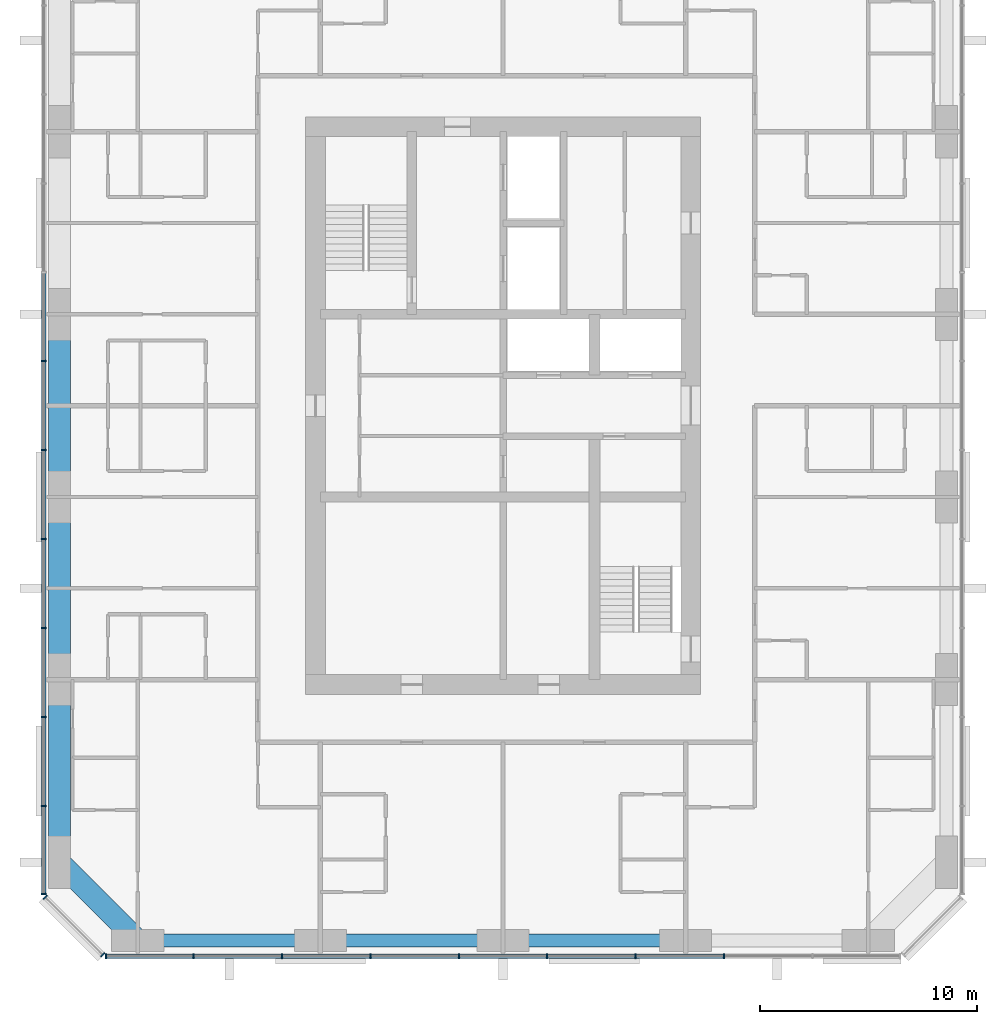
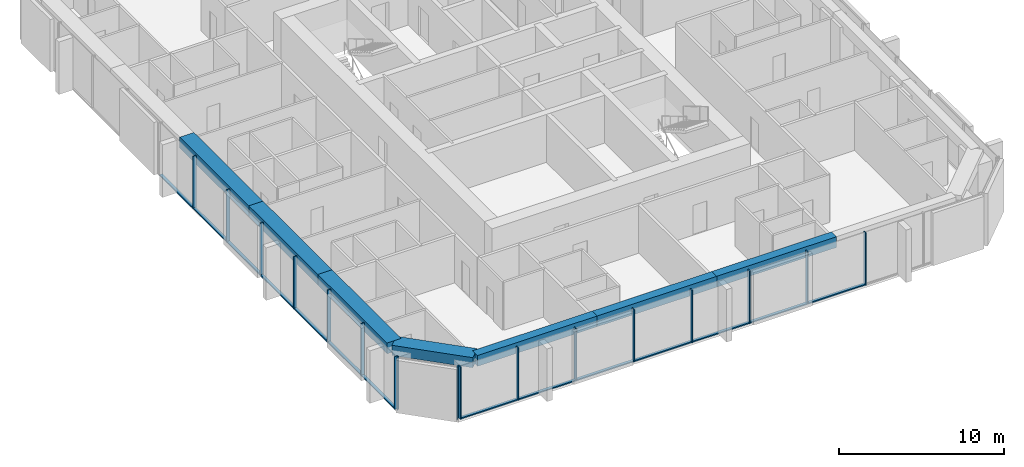
# One storey, part 2 of 12: 31 members, 7 beams, 3 elements without a shape of their own.
"""IFC4 building model written with IfcOpenShell, lengths in metres."""

from ifc_helpers import new_model, si_unit, direction, frame, origin, origin_2d, place, context, subcontext, project, spatial, rectangle, extrude, material, material_profile, profile_set, type_object, element, aggregate, save


model = new_model("IFC4")

# Units and contexts
model_context = context("Model", 3, precision=1e-05, world=origin(), true_north=direction((0.0, 1.0)))
body_context = subcontext(model_context, "Body", "Model", "MODEL_VIEW")
ifc_project = project(units=[si_unit("LENGTHUNIT", "METRE"), si_unit("AREAUNIT", "SQUARE_METRE"), si_unit("VOLUMEUNIT", "CUBIC_METRE"), si_unit("PLANEANGLEUNIT", "RADIAN"), si_unit("MASSUNIT", "GRAM", prefix="KILO")], contexts=[model_context])

# Site, building, storey
site_placement = place(None, origin())
site = spatial("IfcSite", under=ifc_project, at=site_placement, CompositionType="ELEMENT")
building_placement = place(site_placement, origin())
building = spatial("IfcBuilding", under=site, at=building_placement, Name="Dunama Terrace Hotel", CompositionType="ELEMENT")
storey_placement = place(building_placement, frame((0.0, 0.0, 237.300048828125)))
storey = spatial("IfcBuildingStorey", under=building, at=storey_placement, Name="L61", CompositionType="ELEMENT", Elevation=237.300048828125)

# Curtain wall, members
ifc_material_1 = material(Name="Aluminium curtain wall system", Category="aluminium")
curtain_wall_type = type_object("IfcCurtainWallType", Name="Unitised fritted glass wall CW-D", PredefinedType="NOTDEFINED", material=ifc_material_1)
curtain_wall_1_placement = place(storey_placement, origin())
curtain_wall_1 = element("IfcCurtainWall", 1, at=curtain_wall_1_placement, inside=storey, type_object=curtain_wall_type, Name="Unitised fritted glass wall CW-D L61", PredefinedType="NOTDEFINED")
ifc_material_2 = material(Name="Aluminium mullion", Category="aluminium")
ifc_material_profile_1 = material_profile(ifc_material_2, rectangle(XDim=0.070068359375, YDim=0.239990234375, at=origin_2d()), Name="CWD MULLION 70X240")
ifc_profile_set_1 = profile_set([ifc_material_profile_1], Name="Aluminium mullion")
member_type_1 = type_object("IfcMemberType", Name="CWD mullion 70x240", PredefinedType="MULLION", material=ifc_profile_set_1)
member_1_placement = place(storey_placement, frame((15.3349609375, 4.080078125, 0.0), z_axis=(0.0, 0.0, 1.0), x_axis=(1.0, 0.0, 0.0)))
member_1 = element("IfcMember", 2, at=member_1_placement, type_object=member_type_1, Name="CWD mullion", PredefinedType="MULLION", context=body_context, shape_type="SweptSolid", body=[
    extrude(rectangle(XDim=0.070068359375, YDim=0.239990234375, at=origin_2d()), origin(), (0.0, 0.0, 1.0), 3.89990234375),
])
member_2_placement = place(storey_placement, frame((19.366943359375, 4.080078125, 0.0), z_axis=(0.0, 0.0, 1.0), x_axis=(1.0, 0.0, 0.0)))
member_2 = element("IfcMember", 3, at=member_2_placement, type_object=member_type_1, Name="CWD mullion", PredefinedType="MULLION", context=body_context, shape_type="SweptSolid", body=[
    extrude(rectangle(XDim=0.070068359375, YDim=0.239990234375, at=origin_2d()), origin(), (0.0, 0.0, 1.0), 3.89990234375),
])
member_3_placement = place(storey_placement, frame((23.43310546875, 4.080078125, 0.0), z_axis=(0.0, 0.0, 1.0), x_axis=(1.0, 0.0, 0.0)))
member_3 = element("IfcMember", 4, at=member_3_placement, type_object=member_type_1, Name="CWD mullion", PredefinedType="MULLION", context=body_context, shape_type="SweptSolid", body=[
    extrude(rectangle(XDim=0.070068359375, YDim=0.239990234375, at=origin_2d()), origin(), (0.0, 0.0, 1.0), 3.89990234375),
])
member_4_placement = place(storey_placement, frame((27.5, 4.080078125, 0.0), z_axis=(0.0, 0.0, 1.0), x_axis=(1.0, 0.0, 0.0)))
member_4 = element("IfcMember", 5, at=member_4_placement, type_object=member_type_1, Name="CWD mullion", PredefinedType="MULLION", context=body_context, shape_type="SweptSolid", body=[
    extrude(rectangle(XDim=0.070068359375, YDim=0.239990234375, at=origin_2d()), origin(), (0.0, 0.0, 1.0), 3.89990234375),
])
member_5_placement = place(storey_placement, frame((31.56689453125, 4.080078125, 0.0), z_axis=(0.0, 0.0, 1.0), x_axis=(1.0, 0.0, 0.0)))
member_5 = element("IfcMember", 6, at=member_5_placement, type_object=member_type_1, Name="CWD mullion", PredefinedType="MULLION", context=body_context, shape_type="SweptSolid", body=[
    extrude(rectangle(XDim=0.070068359375, YDim=0.239990234375, at=origin_2d()), origin(), (0.0, 0.0, 1.0), 3.89990234375),
])
member_6_placement = place(storey_placement, frame((35.633056640625, 4.080078125, 0.0), z_axis=(0.0, 0.0, 1.0), x_axis=(1.0, 0.0, 0.0)))
member_6 = element("IfcMember", 7, at=member_6_placement, type_object=member_type_1, Name="CWD mullion", PredefinedType="MULLION", context=body_context, shape_type="SweptSolid", body=[
    extrude(rectangle(XDim=0.070068359375, YDim=0.239990234375, at=origin_2d()), origin(), (0.0, 0.0, 1.0), 3.89990234375),
])
member_7_placement = place(storey_placement, frame((39.699951171875, 4.080078125, 0.0), z_axis=(0.0, 0.0, 1.0), x_axis=(1.0, 0.0, 0.0)))
member_7 = element("IfcMember", 8, at=member_7_placement, type_object=member_type_1, Name="CWD mullion", PredefinedType="MULLION", context=body_context, shape_type="SweptSolid", body=[
    extrude(rectangle(XDim=0.070068359375, YDim=0.239990234375, at=origin_2d()), origin(), (0.0, 0.0, 1.0), 3.89990234375),
])
member_8_placement = place(storey_placement, frame((43.76708984375, 4.080078125, 0.0), z_axis=(0.0, 0.0, 1.0), x_axis=(1.0, 0.0, 0.0)))
member_8 = element("IfcMember", 9, at=member_8_placement, type_object=member_type_1, Name="CWD mullion", PredefinedType="MULLION", context=body_context, shape_type="SweptSolid", body=[
    extrude(rectangle(XDim=0.070068359375, YDim=0.239990234375, at=origin_2d()), origin(), (0.0, 0.0, 1.0), 3.89990234375),
])

curtain_wall_2_placement = place(storey_placement, origin())
curtain_wall_2 = element("IfcCurtainWall", 10, at=curtain_wall_2_placement, inside=storey, type_object=curtain_wall_type, Name="Unitised fritted glass wall CW-D L61", PredefinedType="NOTDEFINED")
member_9_placement = place(storey_placement, frame((12.47998046875, 31.445068359375, 0.0), z_axis=(0.0, 0.0, 1.0), x_axis=(0.0, -1.0, 0.0)))
member_9 = element("IfcMember", 11, at=member_9_placement, type_object=member_type_1, Name="CWD mullion", PredefinedType="MULLION", context=body_context, shape_type="SweptSolid", body=[
    extrude(rectangle(XDim=0.070068359375, YDim=0.239990234375, at=origin_2d()), origin(), (0.0, 0.0, 1.0), 3.89990234375),
])
member_10_placement = place(storey_placement, frame((12.47998046875, 27.35498046875, 0.0), z_axis=(0.0, 0.0, 1.0), x_axis=(0.0, -1.0, 0.0)))
member_10 = element("IfcMember", 12, at=member_10_placement, type_object=member_type_1, Name="CWD mullion", PredefinedType="MULLION", context=body_context, shape_type="SweptSolid", body=[
    extrude(rectangle(XDim=0.070068359375, YDim=0.239990234375, at=origin_2d()), origin(), (0.0, 0.0, 1.0), 3.89990234375),
])
member_11_placement = place(storey_placement, frame((12.47998046875, 23.263916015625, 0.0), z_axis=(0.0, 0.0, 1.0), x_axis=(0.0, -1.0, 0.0)))
member_11 = element("IfcMember", 13, at=member_11_placement, type_object=member_type_1, Name="CWD mullion", PredefinedType="MULLION", context=body_context, shape_type="SweptSolid", body=[
    extrude(rectangle(XDim=0.070068359375, YDim=0.239990234375, at=origin_2d()), origin(), (0.0, 0.0, 1.0), 3.89990234375),
])
member_12_placement = place(storey_placement, frame((12.47998046875, 19.173095703125, 0.0), z_axis=(0.0, 0.0, 1.0), x_axis=(0.0, -1.0, 0.0)))
member_12 = element("IfcMember", 14, at=member_12_placement, type_object=member_type_1, Name="CWD mullion", PredefinedType="MULLION", context=body_context, shape_type="SweptSolid", body=[
    extrude(rectangle(XDim=0.070068359375, YDim=0.239990234375, at=origin_2d()), origin(), (0.0, 0.0, 1.0), 3.89990234375),
])
member_13_placement = place(storey_placement, frame((12.47998046875, 15.08203125, 0.0), z_axis=(0.0, 0.0, 1.0), x_axis=(0.0, -1.0, 0.0)))
member_13 = element("IfcMember", 15, at=member_13_placement, type_object=member_type_1, Name="CWD mullion", PredefinedType="MULLION", context=body_context, shape_type="SweptSolid", body=[
    extrude(rectangle(XDim=0.070068359375, YDim=0.239990234375, at=origin_2d()), origin(), (0.0, 0.0, 1.0), 3.89990234375),
])
member_14_placement = place(storey_placement, frame((12.47998046875, 10.990966796875, 0.0), z_axis=(0.0, 0.0, 1.0), x_axis=(0.0, -1.0, 0.0)))
member_14 = element("IfcMember", 16, at=member_14_placement, type_object=member_type_1, Name="CWD mullion", PredefinedType="MULLION", context=body_context, shape_type="SweptSolid", body=[
    extrude(rectangle(XDim=0.070068359375, YDim=0.239990234375, at=origin_2d()), origin(), (0.0, 0.0, 1.0), 3.89990234375),
])
member_15_placement = place(storey_placement, frame((12.47998046875, 6.93505859375, 0.0), z_axis=(0.0, 0.0, 1.0), x_axis=(0.0, -1.0, 0.0)))
member_15 = element("IfcMember", 17, at=member_15_placement, type_object=member_type_1, Name="CWD mullion", PredefinedType="MULLION", context=body_context, shape_type="SweptSolid", body=[
    extrude(rectangle(XDim=0.070068359375, YDim=0.239990234375, at=origin_2d()), origin(), (0.0, 0.0, 1.0), 3.89990234375),
])

curtain_wall_3_placement = place(storey_placement, origin())
curtain_wall_3 = element("IfcCurtainWall", 18, at=curtain_wall_3_placement, inside=storey, type_object=curtain_wall_type, Name="Unitised fritted glass wall CW-D L61", PredefinedType="NOTDEFINED")
member_16_placement = place(storey_placement, frame((12.5400390625, 6.7900390625, 0.0), z_axis=(0.0, 0.0, 1.0), x_axis=(0.707106781187, -0.707106781187, 0.0)))
member_16 = element("IfcMember", 19, at=member_16_placement, type_object=member_type_1, Name="CWD mullion", PredefinedType="MULLION", context=body_context, shape_type="SweptSolid", body=[
    extrude(rectangle(XDim=0.070068359375, YDim=0.239990234375, at=origin_2d()), origin(), (0.0, 0.0, 1.0), 3.89990234375),
])
member_17_placement = place(storey_placement, frame((15.18994140625, 4.139892578125, 0.0), z_axis=(0.0, 0.0, 1.0), x_axis=(0.707106781187, -0.707106781187, 0.0)))
member_17 = element("IfcMember", 20, at=member_17_placement, type_object=member_type_1, Name="CWD mullion", PredefinedType="MULLION", context=body_context, shape_type="SweptSolid", body=[
    extrude(rectangle(XDim=0.070068359375, YDim=0.239990234375, at=origin_2d()), origin(), (0.0, 0.0, 1.0), 3.89990234375),
])
aggregate(curtain_wall_3, [member_16, member_17])

# Member
ifc_material_3 = material(Name="Aluminium transom", Category="aluminium")
ifc_material_profile_2 = material_profile(ifc_material_3, rectangle(XDim=0.199951171875, YDim=0.0849609375, at=origin_2d()), Name="CWD TRANSOM 200X85")
ifc_profile_set_2 = profile_set([ifc_material_profile_2], Name="Aluminium transom")
member_type_2 = type_object("IfcMemberType", Name="CWD transom 200x85", PredefinedType="USERDEFINED", material=ifc_profile_set_2)
member_18_placement = place(storey_placement, frame((15.3701171875, 4.080078125, 0.04248046875), z_axis=(1.0, 0.0, 0.0), x_axis=(0.0, 1.0, 0.0)))
member_18 = element("IfcMember", 21, at=member_18_placement, type_object=member_type_2, Name="CWD transom", ObjectType="TRANSOM", PredefinedType="USERDEFINED", context=body_context, shape_type="SweptSolid", body=[
    extrude(rectangle(XDim=0.199951171875, YDim=0.0849609375, at=origin_2d()), origin(), (0.0, 0.0, 1.0), 3.9619140625),
])

member_19_placement = place(storey_placement, frame((19.402099609375, 4.080078125, 0.04248046875), z_axis=(1.0, 0.0, 0.0), x_axis=(0.0, 1.0, 0.0)))
member_19 = element("IfcMember", 22, at=member_19_placement, type_object=member_type_2, Name="CWD transom", ObjectType="TRANSOM", PredefinedType="USERDEFINED", context=body_context, shape_type="SweptSolid", body=[
    extrude(rectangle(XDim=0.199951171875, YDim=0.0849609375, at=origin_2d()), origin(), (0.0, 0.0, 1.0), 3.995849609375),
])

member_20_placement = place(storey_placement, frame((23.468017578125, 4.080078125, 0.04248046875), z_axis=(1.0, 0.0, 0.0), x_axis=(0.0, 1.0, 0.0)))
member_20 = element("IfcMember", 23, at=member_20_placement, type_object=member_type_2, Name="CWD transom", ObjectType="TRANSOM", PredefinedType="USERDEFINED", context=body_context, shape_type="SweptSolid", body=[
    extrude(rectangle(XDim=0.199951171875, YDim=0.0849609375, at=origin_2d()), origin(), (0.0, 0.0, 1.0), 3.9970703125),
])

member_21_placement = place(storey_placement, frame((27.534912109375, 4.080078125, 0.04248046875), z_axis=(1.0, 0.0, 0.0), x_axis=(0.0, 1.0, 0.0)))
member_21 = element("IfcMember", 24, at=member_21_placement, type_object=member_type_2, Name="CWD transom", ObjectType="TRANSOM", PredefinedType="USERDEFINED", context=body_context, shape_type="SweptSolid", body=[
    extrude(rectangle(XDim=0.199951171875, YDim=0.0849609375, at=origin_2d()), origin(), (0.0, 0.0, 1.0), 3.9970703125),
])

member_22_placement = place(storey_placement, frame((31.60205078125, 4.080078125, 0.04248046875), z_axis=(1.0, 0.0, 0.0), x_axis=(0.0, 1.0, 0.0)))
member_22 = element("IfcMember", 25, at=member_22_placement, type_object=member_type_2, Name="CWD transom", ObjectType="TRANSOM", PredefinedType="USERDEFINED", context=body_context, shape_type="SweptSolid", body=[
    extrude(rectangle(XDim=0.199951171875, YDim=0.0849609375, at=origin_2d()), origin(), (0.0, 0.0, 1.0), 3.995849609375),
])

member_23_placement = place(storey_placement, frame((35.66796875, 4.080078125, 0.04248046875), z_axis=(1.0, 0.0, 0.0), x_axis=(0.0, 1.0, 0.0)))
member_23 = element("IfcMember", 26, at=member_23_placement, type_object=member_type_2, Name="CWD transom", ObjectType="TRANSOM", PredefinedType="USERDEFINED", context=body_context, shape_type="SweptSolid", body=[
    extrude(rectangle(XDim=0.199951171875, YDim=0.0849609375, at=origin_2d()), origin(), (0.0, 0.0, 1.0), 3.9970703125),
])

member_24_placement = place(storey_placement, frame((39.735107421875, 4.080078125, 0.04248046875), z_axis=(1.0, 0.0, 0.0), x_axis=(0.0, 1.0, 0.0)))
member_24 = element("IfcMember", 27, at=member_24_placement, type_object=member_type_2, Name="CWD transom", ObjectType="TRANSOM", PredefinedType="USERDEFINED", context=body_context, shape_type="SweptSolid", body=[
    extrude(rectangle(XDim=0.199951171875, YDim=0.0849609375, at=origin_2d()), origin(), (0.0, 0.0, 1.0), 3.996826171875),
])

aggregate(curtain_wall_1, [member_1, member_2, member_3, member_4, member_5, member_6, member_7, member_8, member_18, member_19, member_20, member_21, member_22, member_23, member_24])

member_25_placement = place(storey_placement, frame((12.47998046875, 35.5009765625, 0.04248046875), z_axis=(0.0, -1.0, 0.0), x_axis=(1.0, 0.0, 0.0)))
member_25 = element("IfcMember", 28, at=member_25_placement, type_object=member_type_2, Name="CWD transom", ObjectType="TRANSOM", PredefinedType="USERDEFINED", context=body_context, shape_type="SweptSolid", body=[
    extrude(rectangle(XDim=0.199951171875, YDim=0.0849609375, at=origin_2d()), origin(), (0.0, 0.0, 1.0), 4.02099609375),
])

member_26_placement = place(storey_placement, frame((12.47998046875, 31.409912109375, 0.04248046875), z_axis=(0.0, -1.0, 0.0), x_axis=(1.0, 0.0, 0.0)))
member_26 = element("IfcMember", 29, at=member_26_placement, type_object=member_type_2, Name="CWD transom", ObjectType="TRANSOM", PredefinedType="USERDEFINED", context=body_context, shape_type="SweptSolid", body=[
    extrude(rectangle(XDim=0.199951171875, YDim=0.0849609375, at=origin_2d()), origin(), (0.0, 0.0, 1.0), 4.02001953125),
])

member_27_placement = place(storey_placement, frame((12.47998046875, 27.320068359375, 0.04248046875), z_axis=(0.0, -1.0, 0.0), x_axis=(1.0, 0.0, 0.0)))
member_27 = element("IfcMember", 30, at=member_27_placement, type_object=member_type_2, Name="CWD transom", ObjectType="TRANSOM", PredefinedType="USERDEFINED", context=body_context, shape_type="SweptSolid", body=[
    extrude(rectangle(XDim=0.199951171875, YDim=0.0849609375, at=origin_2d()), origin(), (0.0, 0.0, 1.0), 4.02099609375),
])

member_28_placement = place(storey_placement, frame((12.47998046875, 23.22900390625, 0.04248046875), z_axis=(0.0, -1.0, 0.0), x_axis=(1.0, 0.0, 0.0)))
member_28 = element("IfcMember", 31, at=member_28_placement, type_object=member_type_2, Name="CWD transom", ObjectType="TRANSOM", PredefinedType="USERDEFINED", context=body_context, shape_type="SweptSolid", body=[
    extrude(rectangle(XDim=0.199951171875, YDim=0.0849609375, at=origin_2d()), origin(), (0.0, 0.0, 1.0), 4.02099609375),
])

member_29_placement = place(storey_placement, frame((12.47998046875, 19.137939453125, 0.04248046875), z_axis=(0.0, -1.0, 0.0), x_axis=(1.0, 0.0, 0.0)))
member_29 = element("IfcMember", 32, at=member_29_placement, type_object=member_type_2, Name="CWD transom", ObjectType="TRANSOM", PredefinedType="USERDEFINED", context=body_context, shape_type="SweptSolid", body=[
    extrude(rectangle(XDim=0.199951171875, YDim=0.0849609375, at=origin_2d()), origin(), (0.0, 0.0, 1.0), 4.02099609375),
])

member_30_placement = place(storey_placement, frame((12.47998046875, 15.047119140625, 0.04248046875), z_axis=(0.0, -1.0, 0.0), x_axis=(1.0, 0.0, 0.0)))
member_30 = element("IfcMember", 33, at=member_30_placement, type_object=member_type_2, Name="CWD transom", ObjectType="TRANSOM", PredefinedType="USERDEFINED", context=body_context, shape_type="SweptSolid", body=[
    extrude(rectangle(XDim=0.199951171875, YDim=0.0849609375, at=origin_2d()), origin(), (0.0, 0.0, 1.0), 4.021240234375),
])

member_31_placement = place(storey_placement, frame((12.47998046875, 10.9560546875, 0.04248046875), z_axis=(0.0, -1.0, 0.0), x_axis=(1.0, 0.0, 0.0)))
member_31 = element("IfcMember", 34, at=member_31_placement, type_object=member_type_2, Name="CWD transom", ObjectType="TRANSOM", PredefinedType="USERDEFINED", context=body_context, shape_type="SweptSolid", body=[
    extrude(rectangle(XDim=0.199951171875, YDim=0.0849609375, at=origin_2d()), origin(), (0.0, 0.0, 1.0), 3.986083984375),
])

aggregate(curtain_wall_2, [member_9, member_10, member_11, member_12, member_13, member_14, member_15, member_25, member_26, member_27, member_28, member_29, member_30, member_31])

# Beams
ifc_material_4 = material(Name="Concrete C50/60", Category="concrete")
ifc_material_profile_3 = material_profile(ifc_material_4, rectangle(XDim=1.0, YDim=0.75, at=origin_2d()), Name="RC 1000x750")
ifc_profile_set_3 = profile_set([ifc_material_profile_3], Name="Concrete C50/60")
beam_type_1 = type_object("IfcBeamType", Name="Edge beam RC 1000x750", PredefinedType="SPANDREL", material=ifc_profile_set_3)
beam_1_placement = place(storey_placement, frame((16.800048828125, 4.800048828125, 3.52490234375), z_axis=(-0.707130757816, 0.707082803744, 0.0), x_axis=(-0.707082803744, -0.707130757816, 0.0)))
element("IfcBeam", 35, at=beam_1_placement, inside=storey, type_object=beam_type_1, Name="Corner edge beam under L62", PredefinedType="SPANDREL", context=body_context, shape_type="SweptSolid", body=[
    extrude(rectangle(XDim=1.0, YDim=0.75, at=origin_2d()), origin(), (0.0, 0.0, 1.0), 5.091064453125),
])
ifc_material_5 = material(Name="Concrete C40/50", Category="concrete")
ifc_material_profile_4 = material_profile(ifc_material_5, rectangle(XDim=1.0, YDim=0.800048828125, at=origin_2d()), Name="RC 1000x800")
ifc_profile_set_4 = profile_set([ifc_material_profile_4], Name="Concrete C40/50")
beam_type_2 = type_object("IfcBeamType", Name="Edge beam RC 1000x800", PredefinedType="SPANDREL", material=ifc_profile_set_4)
beam_2_placement = place(storey_placement, frame((13.199951171875, 8.39990234375, 3.5), z_axis=(0.0, 1.0, 0.0), x_axis=(-1.0, 0.0, 0.0)))
element("IfcBeam", 36, at=beam_2_placement, inside=storey, type_object=beam_type_2, Name="Edge beam under L62", PredefinedType="SPANDREL", context=body_context, shape_type="SweptSolid", body=[
    extrude(rectangle(XDim=1.0, YDim=0.800048828125, at=origin_2d()), origin(), (0.0, 0.0, 1.0), 8.400146484375),
])
beam_3_placement = place(storey_placement, frame((13.199951171875, 16.800048828125, 3.5), z_axis=(0.0, 1.0, 0.0), x_axis=(-1.0, 0.0, 0.0)))
element("IfcBeam", 37, at=beam_3_placement, inside=storey, type_object=beam_type_2, Name="Edge beam under L62", PredefinedType="SPANDREL", context=body_context, shape_type="SweptSolid", body=[
    extrude(rectangle(XDim=1.0, YDim=0.800048828125, at=origin_2d()), origin(), (0.0, 0.0, 1.0), 8.39990234375),
])
beam_4_placement = place(storey_placement, frame((13.199951171875, 25.199951171875, 3.5), z_axis=(0.0, 1.0, 0.0), x_axis=(-1.0, 0.0, 0.0)))
element("IfcBeam", 38, at=beam_4_placement, inside=storey, type_object=beam_type_2, Name="Edge beam under L62", PredefinedType="SPANDREL", context=body_context, shape_type="SweptSolid", body=[
    extrude(rectangle(XDim=1.0, YDim=0.800048828125, at=origin_2d()), origin(), (0.0, 0.0, 1.0), 8.400146484375),
])
ifc_material_6 = material(Name="Concrete C40/50", Category="concrete")
ifc_material_profile_5 = material_profile(ifc_material_6, rectangle(XDim=0.60009765625, YDim=0.800048828125, at=origin_2d()), Name="RC 600x800")
ifc_profile_set_5 = profile_set([ifc_material_profile_5], Name="Concrete C40/50")
beam_type_3 = type_object("IfcBeamType", Name="Edge beam RC 600x800", PredefinedType="SPANDREL", material=ifc_profile_set_5)
beam_5_placement = place(storey_placement, frame((16.800048828125, 4.800048828125, 3.5), z_axis=(1.0, 0.0, 0.0), x_axis=(0.0, 1.0, 0.0)))
element("IfcBeam", 39, at=beam_5_placement, inside=storey, type_object=beam_type_3, Name="Edge beam under L62", PredefinedType="SPANDREL", context=body_context, shape_type="SweptSolid", body=[
    extrude(rectangle(XDim=0.60009765625, YDim=0.800048828125, at=origin_2d()), origin(), (0.0, 0.0, 1.0), 8.39990234375),
])
beam_6_placement = place(storey_placement, frame((25.199951171875, 4.800048828125, 3.5), z_axis=(1.0, 0.0, 0.0), x_axis=(0.0, 1.0, 0.0)))
element("IfcBeam", 40, at=beam_6_placement, inside=storey, type_object=beam_type_3, Name="Edge beam under L62", PredefinedType="SPANDREL", context=body_context, shape_type="SweptSolid", body=[
    extrude(rectangle(XDim=0.60009765625, YDim=0.800048828125, at=origin_2d()), origin(), (0.0, 0.0, 1.0), 8.400146484375),
])
beam_7_placement = place(storey_placement, frame((33.60009765625, 4.800048828125, 3.5), z_axis=(1.0, 0.0, 0.0), x_axis=(0.0, 1.0, 0.0)))
element("IfcBeam", 41, at=beam_7_placement, inside=storey, type_object=beam_type_3, Name="Edge beam under L62", PredefinedType="SPANDREL", context=body_context, shape_type="SweptSolid", body=[
    extrude(rectangle(XDim=0.60009765625, YDim=0.800048828125, at=origin_2d()), origin(), (0.0, 0.0, 1.0), 8.39990234375),
])

save(model, "model.ifc")
